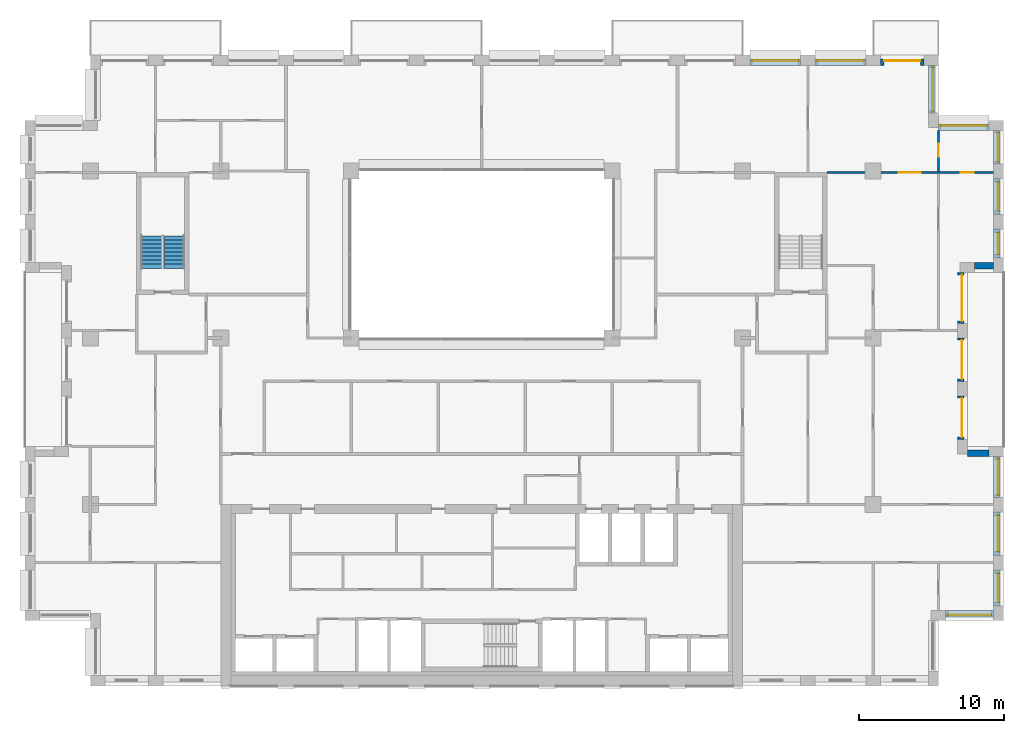
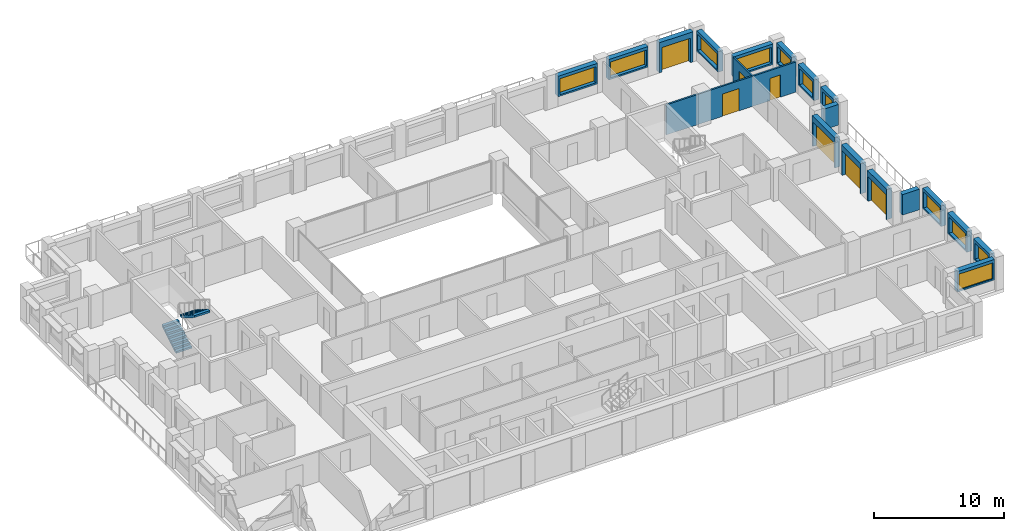
# One storey, part 14 of 16: 19 walls, 11 windows, 7 doors, 2 stair flights, 18 openings, 1 element without a shape of its own.
"""IFC4 building model written with IfcOpenShell, lengths in metres."""

from ifc_helpers import new_model, si_unit, direction, frame, frame_2d, origin, place, context, subcontext, project, spatial, polyline, rectangle, outline, extrude, material, layer, layer_set, type_object, element, fill, aggregate, save


model = new_model("IFC4")

# Units and contexts
model_context = context("Model", 3, precision=1e-05, world=origin(), true_north=direction((0.0, 1.0)))
body_context = subcontext(model_context, "Body", "Model", "MODEL_VIEW")
ifc_project = project(units=[si_unit("LENGTHUNIT", "METRE"), si_unit("AREAUNIT", "SQUARE_METRE"), si_unit("VOLUMEUNIT", "CUBIC_METRE"), si_unit("PLANEANGLEUNIT", "RADIAN"), si_unit("MASSUNIT", "GRAM", prefix="KILO")], contexts=[model_context])

# Site, building, storey
site_placement = place(None, origin())
site = spatial("IfcSite", under=ifc_project, at=site_placement, CompositionType="ELEMENT")
building_placement = place(site_placement, origin())
building = spatial("IfcBuilding", under=site, at=building_placement, Name="Brigalow Station Residences", CompositionType="ELEMENT")
storey_placement = place(building_placement, frame((0.0, 0.0, 163.35009765625)))
storey = spatial("IfcBuildingStorey", under=building, at=storey_placement, Name="L47", CompositionType="ELEMENT", Elevation=163.35009765625)

# Wall, opening, window
ifc_material_1 = material(Name="Clay brick masonry", Category="masonry")
ifc_layer_1 = layer(ifc_material_1, 0.449951171875)
ifc_layer_set_1 = layer_set([ifc_layer_1], Name="BRICK INFILL WALL 450")
wall_type_1 = type_object("IfcWallType", Name="BRICK INFILL WALL 450", PredefinedType="SOLIDWALL", material=ifc_layer_set_1)
wall_1_placement = place(storey_placement, frame((68.0, 4.97509765625, 0.89990234375), z_axis=(0.0, 0.0, 1.0), x_axis=(1.0, 0.0, 0.0)))
wall_1 = element("IfcWall", 1, at=wall_1_placement, inside=storey, type_object=wall_type_1, Name="L47/ewall/W-L47-8", PredefinedType="SOLIDWALL", context=body_context, shape_type="SweptSolid", body=[
    extrude(rectangle(XDim=3.300048828125, YDim=0.449951171875, at=frame_2d((1.64990234375, 0.0))), origin(), (0.0, 0.0, 1.0), 1.929931640625),
])
opening_1_placement = place(wall_1_placement, frame((0.14990234375, 0.0, 0.14990234375)))
opening_1 = element("IfcOpeningElement", 2, at=opening_1_placement, cuts=wall_1, Name="Opening WT-2", PredefinedType="OPENING", context=body_context, shape_type="SweptSolid", body=[
    extrude(rectangle(XDim=3.0, YDim=1.5, at=frame_2d((1.5, 0.75))), frame((0.0, 0.23486328125, 0.0), z_axis=(0.0, -1.0, 0.0), x_axis=(1.0, 0.0, 0.0)), (0.0, 0.0, 1.0), 0.469970703125),
])
ifc_material_2 = material(Name="Anodised aluminium frame with double glazing", Category="aluminium")
window_type_1 = type_object("IfcWindowType", Name="WINDOW 3000x1500", PartitioningType="SINGLE_PANEL", PredefinedType="WINDOW", material=ifc_material_2)
window_1_placement = place(opening_1_placement, origin())
window_1 = element("IfcWindow", 3, at=window_1_placement, inside=storey, type_object=window_type_1, Name="L47/window/W-L47-8", OverallHeight=1.5, OverallWidth=3.0, PartitioningType="SINGLE_PANEL", PredefinedType="WINDOW", context=body_context, shape_type="SweptSolid", body=[
    extrude(rectangle(XDim=3.0, YDim=1.5, at=frame_2d((1.5, 0.75))), frame((0.0, -0.06494140625, 0.0), z_axis=(0.0, -1.0, 0.0), x_axis=(1.0, 0.0, 0.0)), (0.0, 0.0, 1.0), 0.06005859375),
])
fill(opening_1, window_1)

wall_2_placement = place(storey_placement, frame((71.52490234375, 5.5, 0.89990234375), z_axis=(0.0, 0.0, 1.0), x_axis=(0.0, 1.0, 0.0)))
wall_2 = element("IfcWall", 4, at=wall_2_placement, inside=storey, type_object=wall_type_1, Name="L47/ewall/W-L47-9", PredefinedType="SOLIDWALL", context=body_context, shape_type="SweptSolid", body=[
    extrude(rectangle(XDim=2.5, YDim=0.449951171875, at=frame_2d((1.25, 0.0))), origin(), (0.0, 0.0, 1.0), 1.929931640625),
])
opening_2_placement = place(wall_2_placement, frame((0.25, 0.0, 0.14990234375)))
opening_2 = element("IfcOpeningElement", 5, at=opening_2_placement, cuts=wall_2, Name="Opening WT-7", PredefinedType="OPENING", context=body_context, shape_type="SweptSolid", body=[
    extrude(rectangle(XDim=2.0, YDim=1.5, at=frame_2d((1.0, 0.75))), frame((0.0, 0.23486328125, 0.0), z_axis=(0.0, -1.0, 0.0), x_axis=(1.0, 0.0, 0.0)), (0.0, 0.0, 1.0), 0.469970703125),
])
ifc_material_3 = material(Name="Anodised aluminium frame with double glazing", Category="aluminium")
window_type_2 = type_object("IfcWindowType", Name="WINDOW 2000x1500", PartitioningType="SINGLE_PANEL", PredefinedType="WINDOW", material=ifc_material_3)
window_2_placement = place(opening_2_placement, origin())
window_2 = element("IfcWindow", 6, at=window_2_placement, inside=storey, type_object=window_type_2, Name="L47/window/W-L47-9", OverallHeight=1.5, OverallWidth=2.0, PartitioningType="SINGLE_PANEL", PredefinedType="WINDOW", context=body_context, shape_type="SweptSolid", body=[
    extrude(rectangle(XDim=2.0, YDim=1.5, at=frame_2d((1.0, 0.75))), frame((0.0, -0.06494140625, 0.0), z_axis=(0.0, -1.0, 0.0), x_axis=(1.0, 0.0, 0.0)), (0.0, 0.0, 1.0), 0.06005859375),
])
fill(opening_2, window_2)

wall_3_placement = place(storey_placement, frame((71.52490234375, 9.0, 0.89990234375), z_axis=(0.0, 0.0, 1.0), x_axis=(0.0, 1.0, 0.0)))
wall_3 = element("IfcWall", 7, at=wall_3_placement, inside=storey, type_object=wall_type_1, Name="L47/ewall/W-L47-10", PredefinedType="SOLIDWALL", context=body_context, shape_type="SweptSolid", body=[
    extrude(rectangle(XDim=3.0, YDim=0.449951171875, at=frame_2d((1.5, 0.0))), origin(), (0.0, 0.0, 1.0), 1.929931640625),
])
opening_3_placement = place(wall_3_placement, frame((0.25, 0.0, 0.14990234375)))
opening_3 = element("IfcOpeningElement", 8, at=opening_3_placement, cuts=wall_3, Name="Opening WT-5", PredefinedType="OPENING", context=body_context, shape_type="SweptSolid", body=[
    extrude(rectangle(XDim=2.5, YDim=1.5, at=frame_2d((1.25, 0.75))), frame((0.0, 0.23486328125, 0.0), z_axis=(0.0, -1.0, 0.0), x_axis=(1.0, 0.0, 0.0)), (0.0, 0.0, 1.0), 0.469970703125),
])
ifc_material_4 = material(Name="Anodised aluminium frame with double glazing", Category="aluminium")
window_type_3 = type_object("IfcWindowType", Name="WINDOW 2500x1500", PartitioningType="SINGLE_PANEL", PredefinedType="WINDOW", material=ifc_material_4)
window_3_placement = place(opening_3_placement, origin())
window_3 = element("IfcWindow", 9, at=window_3_placement, inside=storey, type_object=window_type_3, Name="L47/window/W-L47-10", OverallHeight=1.5, OverallWidth=2.5, PartitioningType="SINGLE_PANEL", PredefinedType="WINDOW", context=body_context, shape_type="SweptSolid", body=[
    extrude(rectangle(XDim=2.5, YDim=1.5, at=frame_2d((1.25, 0.75))), frame((0.0, -0.06494140625, 0.0), z_axis=(0.0, -1.0, 0.0), x_axis=(1.0, 0.0, 0.0)), (0.0, 0.0, 1.0), 0.06005859375),
])
fill(opening_3, window_3)

wall_4_placement = place(storey_placement, frame((71.52490234375, 13.0, 0.89990234375), z_axis=(0.0, 0.0, 1.0), x_axis=(0.0, 1.0, 0.0)))
wall_4 = element("IfcWall", 10, at=wall_4_placement, inside=storey, type_object=wall_type_1, Name="L47/ewall/W-L47-11", PredefinedType="SOLIDWALL", context=body_context, shape_type="SweptSolid", body=[
    extrude(rectangle(XDim=2.800048828125, YDim=0.449951171875, at=frame_2d((1.39990234375, 0.0))), origin(), (0.0, 0.0, 1.0), 1.929931640625),
])
opening_4_placement = place(wall_4_placement, frame((0.14990234375, 0.0, 0.14990234375)))
opening_4 = element("IfcOpeningElement", 11, at=opening_4_placement, cuts=wall_4, Name="Opening WT-5", PredefinedType="OPENING", context=body_context, shape_type="SweptSolid", body=[
    extrude(rectangle(XDim=2.5, YDim=1.5, at=frame_2d((1.25, 0.75))), frame((0.0, 0.23486328125, 0.0), z_axis=(0.0, -1.0, 0.0), x_axis=(1.0, 0.0, 0.0)), (0.0, 0.0, 1.0), 0.469970703125),
])
window_4_placement = place(opening_4_placement, origin())
window_4 = element("IfcWindow", 12, at=window_4_placement, inside=storey, type_object=window_type_3, Name="L47/window/W-L47-11", OverallHeight=1.5, OverallWidth=2.5, PartitioningType="SINGLE_PANEL", PredefinedType="WINDOW", context=body_context, shape_type="SweptSolid", body=[
    extrude(rectangle(XDim=2.5, YDim=1.5, at=frame_2d((1.25, 0.75))), frame((0.0, -0.06494140625, 0.0), z_axis=(0.0, -1.0, 0.0), x_axis=(1.0, 0.0, 0.0)), (0.0, 0.0, 1.0), 0.06005859375),
])
fill(opening_4, window_4)

# Wall
wall_5_placement = place(storey_placement, frame((71.0, 16.02490234375, 0.89990234375), z_axis=(0.0, 0.0, 1.0), x_axis=(-1.0, 0.0, 0.0)))
element("IfcWall", 13, at=wall_5_placement, inside=storey, type_object=wall_type_1, Name="L47/ewall/W-L47-12", PredefinedType="SOLIDWALL", context=body_context, shape_type="SweptSolid", body=[
    extrude(rectangle(XDim=1.5, YDim=0.449951171875, at=frame_2d((0.75, 0.0))), origin(), (0.0, 0.0, 1.0), 1.929931640625),
])

# Wall, opening, door
wall_6_placement = place(storey_placement, frame((69.02490234375, 17.0, 0.0), z_axis=(0.0, 0.0, 1.0), x_axis=(0.0, 1.0, 0.0)))
wall_6 = element("IfcWall", 14, at=wall_6_placement, inside=storey, type_object=wall_type_1, Name="L47/ewall/W-L47-13", PredefinedType="SOLIDWALL", context=body_context, shape_type="SweptSolid", body=[
    extrude(rectangle(XDim=3.0, YDim=0.449951171875, at=frame_2d((1.5, 0.0))), origin(), (0.0, 0.0, 1.0), 2.829833984375),
])
opening_5_placement = place(wall_6_placement, frame((0.14990234375, 0.0, 0.0)))
opening_5 = element("IfcOpeningElement", 15, at=opening_5_placement, cuts=wall_6, Name="Opening D-B2700", PredefinedType="OPENING", context=body_context, shape_type="SweptSolid", body=[
    extrude(rectangle(XDim=2.699951171875, YDim=2.300048828125, at=frame_2d((1.35009765625, 1.14990234375))), frame((0.0, 0.23486328125, 0.0), z_axis=(0.0, -1.0, 0.0), x_axis=(1.0, 0.0, 0.0)), (0.0, 0.0, 1.0), 0.469970703125),
])
ifc_material_5 = material(Name="Anodised aluminium frame with double glazing", Category="aluminium")
door_type_1 = type_object("IfcDoorType", Name="BALCONY SLIDING DOOR 2700x2300", OperationType="SLIDING_TO_LEFT", PredefinedType="DOOR", material=ifc_material_5)
door_1_placement = place(opening_5_placement, origin())
door_1 = element("IfcDoor", 16, at=door_1_placement, inside=storey, type_object=door_type_1, Name="L47/balcony-door/W-L47-13", OperationType="SLIDING_TO_LEFT", OverallHeight=2.300048828125, OverallWidth=2.699951171875, PredefinedType="DOOR", context=body_context, shape_type="SweptSolid", body=[
    extrude(rectangle(XDim=2.699951171875, YDim=2.300048828125, at=frame_2d((1.35009765625, 1.14990234375))), frame((0.0, -0.06982421875, 0.0), z_axis=(0.0, -1.0, 0.0), x_axis=(1.0, 0.0, 0.0)), (0.0, 0.0, 1.0), 0.050048828125),
])
fill(opening_5, door_1)

wall_7_placement = place(storey_placement, frame((69.02490234375, 21.0, 0.0), z_axis=(0.0, 0.0, 1.0), x_axis=(0.0, 1.0, 0.0)))
wall_7 = element("IfcWall", 17, at=wall_7_placement, inside=storey, type_object=wall_type_1, Name="L47/ewall/W-L47-14", PredefinedType="SOLIDWALL", context=body_context, shape_type="SweptSolid", body=[
    extrude(rectangle(XDim=3.0, YDim=0.449951171875, at=frame_2d((1.5, 0.0))), origin(), (0.0, 0.0, 1.0), 2.829833984375),
])
opening_6_placement = place(wall_7_placement, frame((0.14990234375, 0.0, 0.0)))
opening_6 = element("IfcOpeningElement", 18, at=opening_6_placement, cuts=wall_7, Name="Opening D-B2700", PredefinedType="OPENING", context=body_context, shape_type="SweptSolid", body=[
    extrude(rectangle(XDim=2.699951171875, YDim=2.300048828125, at=frame_2d((1.35009765625, 1.14990234375))), frame((0.0, 0.23486328125, 0.0), z_axis=(0.0, -1.0, 0.0), x_axis=(1.0, 0.0, 0.0)), (0.0, 0.0, 1.0), 0.469970703125),
])
door_2_placement = place(opening_6_placement, origin())
door_2 = element("IfcDoor", 19, at=door_2_placement, inside=storey, type_object=door_type_1, Name="L47/balcony-door/W-L47-14", OperationType="SLIDING_TO_LEFT", OverallHeight=2.300048828125, OverallWidth=2.699951171875, PredefinedType="DOOR", context=body_context, shape_type="SweptSolid", body=[
    extrude(rectangle(XDim=2.699951171875, YDim=2.300048828125, at=frame_2d((1.35009765625, 1.14990234375))), frame((0.0, -0.06982421875, 0.0), z_axis=(0.0, -1.0, 0.0), x_axis=(1.0, 0.0, 0.0)), (0.0, 0.0, 1.0), 0.050048828125),
])
fill(opening_6, door_2)

wall_8_placement = place(storey_placement, frame((69.02490234375, 25.0, 0.0), z_axis=(0.0, 0.0, 1.0), x_axis=(0.0, 1.0, 0.0)))
wall_8 = element("IfcWall", 20, at=wall_8_placement, inside=storey, type_object=wall_type_1, Name="L47/ewall/W-L47-15", PredefinedType="SOLIDWALL", context=body_context, shape_type="SweptSolid", body=[
    extrude(rectangle(XDim=3.5, YDim=0.449951171875, at=frame_2d((1.75, 0.0))), origin(), (0.0, 0.0, 1.0), 2.829833984375),
])
opening_7_placement = place(wall_8_placement, frame((0.14990234375, 0.0, 0.0)))
opening_7 = element("IfcOpeningElement", 21, at=opening_7_placement, cuts=wall_8, Name="Opening D-B3200", PredefinedType="OPENING", context=body_context, shape_type="SweptSolid", body=[
    extrude(rectangle(XDim=3.199951171875, YDim=2.300048828125, at=frame_2d((1.60009765625, 1.14990234375))), frame((0.0, 0.23486328125, 0.0), z_axis=(0.0, -1.0, 0.0), x_axis=(1.0, 0.0, 0.0)), (0.0, 0.0, 1.0), 0.469970703125),
])
ifc_material_6 = material(Name="Anodised aluminium frame with double glazing", Category="aluminium")
door_type_2 = type_object("IfcDoorType", Name="BALCONY SLIDING DOOR 3200x2300", OperationType="SLIDING_TO_LEFT", PredefinedType="DOOR", material=ifc_material_6)
door_3_placement = place(opening_7_placement, origin())
door_3 = element("IfcDoor", 22, at=door_3_placement, inside=storey, type_object=door_type_2, Name="L47/balcony-door/W-L47-15", OperationType="SLIDING_TO_LEFT", OverallHeight=2.300048828125, OverallWidth=3.199951171875, PredefinedType="DOOR", context=body_context, shape_type="SweptSolid", body=[
    extrude(rectangle(XDim=3.199951171875, YDim=2.300048828125, at=frame_2d((1.60009765625, 1.14990234375))), frame((0.0, -0.06982421875, 0.0), z_axis=(0.0, -1.0, 0.0), x_axis=(1.0, 0.0, 0.0)), (0.0, 0.0, 1.0), 0.050048828125),
])
fill(opening_7, door_3)

# Wall
wall_9_placement = place(storey_placement, frame((70.0, 28.97509765625, 0.89990234375), z_axis=(0.0, 0.0, 1.0), x_axis=(1.0, 0.0, 0.0)))
element("IfcWall", 23, at=wall_9_placement, inside=storey, type_object=wall_type_1, Name="L47/ewall/W-L47-16", PredefinedType="SOLIDWALL", context=body_context, shape_type="SweptSolid", body=[
    extrude(rectangle(XDim=1.300048828125, YDim=0.449951171875, at=frame_2d((0.64990234375, 0.0))), origin(), (0.0, 0.0, 1.0), 1.929931640625),
])

# Wall, opening, window
wall_10_placement = place(storey_placement, frame((71.52490234375, 29.5, 0.89990234375), z_axis=(0.0, 0.0, 1.0), x_axis=(0.0, 1.0, 0.0)))
wall_10 = element("IfcWall", 24, at=wall_10_placement, inside=storey, type_object=wall_type_1, Name="L47/ewall/W-L47-17", PredefinedType="SOLIDWALL", context=body_context, shape_type="SweptSolid", body=[
    extrude(rectangle(XDim=2.0, YDim=0.449951171875, at=frame_2d((1.0, 0.0))), origin(), (0.0, 0.0, 1.0), 1.929931640625),
])
opening_8_placement = place(wall_10_placement, frame((0.25, 0.0, 0.14990234375)))
opening_8 = element("IfcOpeningElement", 25, at=opening_8_placement, cuts=wall_10, Name="Opening WT-1", PredefinedType="OPENING", context=body_context, shape_type="SweptSolid", body=[
    extrude(rectangle(XDim=1.5, YDim=1.5, at=frame_2d((0.75, 0.75))), frame((0.0, 0.23486328125, 0.0), z_axis=(0.0, -1.0, 0.0), x_axis=(1.0, 0.0, 0.0)), (0.0, 0.0, 1.0), 0.469970703125),
])
ifc_material_7 = material(Name="Anodised aluminium frame with double glazing", Category="aluminium")
window_type_4 = type_object("IfcWindowType", Name="WINDOW 1500x1500", PartitioningType="SINGLE_PANEL", PredefinedType="WINDOW", material=ifc_material_7)
window_5_placement = place(opening_8_placement, origin())
window_5 = element("IfcWindow", 26, at=window_5_placement, inside=storey, type_object=window_type_4, Name="L47/window/W-L47-17", OverallHeight=1.5, OverallWidth=1.5, PartitioningType="SINGLE_PANEL", PredefinedType="WINDOW", context=body_context, shape_type="SweptSolid", body=[
    extrude(rectangle(XDim=1.5, YDim=1.5, at=frame_2d((0.75, 0.75))), frame((0.0, -0.06494140625, 0.0), z_axis=(0.0, -1.0, 0.0), x_axis=(1.0, 0.0, 0.0)), (0.0, 0.0, 1.0), 0.06005859375),
])
fill(opening_8, window_5)

wall_11_placement = place(storey_placement, frame((71.52490234375, 32.5, 0.89990234375), z_axis=(0.0, 0.0, 1.0), x_axis=(0.0, 1.0, 0.0)))
wall_11 = element("IfcWall", 27, at=wall_11_placement, inside=storey, type_object=wall_type_1, Name="L47/ewall/W-L47-18", PredefinedType="SOLIDWALL", context=body_context, shape_type="SweptSolid", body=[
    extrude(rectangle(XDim=2.5, YDim=0.449951171875, at=frame_2d((1.25, 0.0))), origin(), (0.0, 0.0, 1.0), 1.929931640625),
])
opening_9_placement = place(wall_11_placement, frame((0.25, 0.0, 0.14990234375)))
opening_9 = element("IfcOpeningElement", 28, at=opening_9_placement, cuts=wall_11, Name="Opening WT-7", PredefinedType="OPENING", context=body_context, shape_type="SweptSolid", body=[
    extrude(rectangle(XDim=2.0, YDim=1.5, at=frame_2d((1.0, 0.75))), frame((0.0, 0.23486328125, 0.0), z_axis=(0.0, -1.0, 0.0), x_axis=(1.0, 0.0, 0.0)), (0.0, 0.0, 1.0), 0.469970703125),
])
window_6_placement = place(opening_9_placement, origin())
window_6 = element("IfcWindow", 29, at=window_6_placement, inside=storey, type_object=window_type_2, Name="L47/window/W-L47-18", OverallHeight=1.5, OverallWidth=2.0, PartitioningType="SINGLE_PANEL", PredefinedType="WINDOW", context=body_context, shape_type="SweptSolid", body=[
    extrude(rectangle(XDim=2.0, YDim=1.5, at=frame_2d((1.0, 0.75))), frame((0.0, -0.06494140625, 0.0), z_axis=(0.0, -1.0, 0.0), x_axis=(1.0, 0.0, 0.0)), (0.0, 0.0, 1.0), 0.06005859375),
])
fill(opening_9, window_6)

wall_12_placement = place(storey_placement, frame((71.52490234375, 36.0, 0.89990234375), z_axis=(0.0, 0.0, 1.0), x_axis=(0.0, 1.0, 0.0)))
wall_12 = element("IfcWall", 30, at=wall_12_placement, inside=storey, type_object=wall_type_1, Name="L47/ewall/W-L47-19", PredefinedType="SOLIDWALL", context=body_context, shape_type="SweptSolid", body=[
    extrude(rectangle(XDim=2.300048828125, YDim=0.449951171875, at=frame_2d((1.14990234375, 0.0))), origin(), (0.0, 0.0, 1.0), 1.929931640625),
])
opening_10_placement = place(wall_12_placement, frame((0.14990234375, 0.0, 0.14990234375)))
opening_10 = element("IfcOpeningElement", 31, at=opening_10_placement, cuts=wall_12, Name="Opening WT-7", PredefinedType="OPENING", context=body_context, shape_type="SweptSolid", body=[
    extrude(rectangle(XDim=2.0, YDim=1.5, at=frame_2d((1.0, 0.75))), frame((0.0, 0.23486328125, 0.0), z_axis=(0.0, -1.0, 0.0), x_axis=(1.0, 0.0, 0.0)), (0.0, 0.0, 1.0), 0.469970703125),
])
window_7_placement = place(opening_10_placement, origin())
window_7 = element("IfcWindow", 32, at=window_7_placement, inside=storey, type_object=window_type_2, Name="L47/window/W-L47-19", OverallHeight=1.5, OverallWidth=2.0, PartitioningType="SINGLE_PANEL", PredefinedType="WINDOW", context=body_context, shape_type="SweptSolid", body=[
    extrude(rectangle(XDim=2.0, YDim=1.5, at=frame_2d((1.0, 0.75))), frame((0.0, -0.06494140625, 0.0), z_axis=(0.0, -1.0, 0.0), x_axis=(1.0, 0.0, 0.0)), (0.0, 0.0, 1.0), 0.06005859375),
])
fill(opening_10, window_7)

wall_13_placement = place(storey_placement, frame((71.0, 38.52490234375, 0.89990234375), z_axis=(0.0, 0.0, 1.0), x_axis=(-1.0, 0.0, 0.0)))
wall_13 = element("IfcWall", 33, at=wall_13_placement, inside=storey, type_object=wall_type_1, Name="L47/ewall/W-L47-20", PredefinedType="SOLIDWALL", context=body_context, shape_type="SweptSolid", body=[
    extrude(rectangle(XDim=3.5, YDim=0.449951171875, at=frame_2d((1.75, 0.0))), origin(), (0.0, 0.0, 1.0), 1.929931640625),
])
opening_11_placement = place(wall_13_placement, frame((0.14990234375, 0.0, 0.14990234375)))
opening_11 = element("IfcOpeningElement", 34, at=opening_11_placement, cuts=wall_13, Name="Opening WT-9", PredefinedType="OPENING", context=body_context, shape_type="SweptSolid", body=[
    extrude(rectangle(XDim=3.199951171875, YDim=1.5, at=frame_2d((1.60009765625, 0.75))), frame((0.0, 0.23486328125, 0.0), z_axis=(0.0, -1.0, 0.0), x_axis=(1.0, 0.0, 0.0)), (0.0, 0.0, 1.0), 0.469970703125),
])
ifc_material_8 = material(Name="Anodised aluminium frame with double glazing", Category="aluminium")
window_type_5 = type_object("IfcWindowType", Name="WINDOW 3200x1500", PartitioningType="SINGLE_PANEL", PredefinedType="WINDOW", material=ifc_material_8)
window_8_placement = place(opening_11_placement, origin())
window_8 = element("IfcWindow", 35, at=window_8_placement, inside=storey, type_object=window_type_5, Name="L47/window/W-L47-20", OverallHeight=1.5, OverallWidth=3.199951171875, PartitioningType="SINGLE_PANEL", PredefinedType="WINDOW", context=body_context, shape_type="SweptSolid", body=[
    extrude(rectangle(XDim=3.199951171875, YDim=1.5, at=frame_2d((1.60009765625, 0.75))), frame((0.0, -0.06494140625, 0.0), z_axis=(0.0, -1.0, 0.0), x_axis=(1.0, 0.0, 0.0)), (0.0, 0.0, 1.0), 0.06005859375),
])
fill(opening_11, window_8)

wall_14_placement = place(storey_placement, frame((67.02490234375, 39.5, 0.89990234375), z_axis=(0.0, 0.0, 1.0), x_axis=(0.0, 1.0, 0.0)))
wall_14 = element("IfcWall", 36, at=wall_14_placement, inside=storey, type_object=wall_type_1, Name="L47/ewall/W-L47-21", PredefinedType="SOLIDWALL", context=body_context, shape_type="SweptSolid", body=[
    extrude(rectangle(XDim=3.300048828125, YDim=0.449951171875, at=frame_2d((1.64990234375, 0.0))), origin(), (0.0, 0.0, 1.0), 1.929931640625),
])
opening_12_placement = place(wall_14_placement, frame((0.14990234375, 0.0, 0.14990234375)))
opening_12 = element("IfcOpeningElement", 37, at=opening_12_placement, cuts=wall_14, Name="Opening WT-2", PredefinedType="OPENING", context=body_context, shape_type="SweptSolid", body=[
    extrude(rectangle(XDim=3.0, YDim=1.5, at=frame_2d((1.5, 0.75))), frame((0.0, 0.23486328125, 0.0), z_axis=(0.0, -1.0, 0.0), x_axis=(1.0, 0.0, 0.0)), (0.0, 0.0, 1.0), 0.469970703125),
])
window_9_placement = place(opening_12_placement, origin())
window_9 = element("IfcWindow", 38, at=window_9_placement, inside=storey, type_object=window_type_1, Name="L47/window/W-L47-21", OverallHeight=1.5, OverallWidth=3.0, PartitioningType="SINGLE_PANEL", PredefinedType="WINDOW", context=body_context, shape_type="SweptSolid", body=[
    extrude(rectangle(XDim=3.0, YDim=1.5, at=frame_2d((1.5, 0.75))), frame((0.0, -0.06494140625, 0.0), z_axis=(0.0, -1.0, 0.0), x_axis=(1.0, 0.0, 0.0)), (0.0, 0.0, 1.0), 0.06005859375),
])
fill(opening_12, window_9)

# Wall, opening, door
wall_15_placement = place(storey_placement, frame((66.5, 43.02490234375, 0.0), z_axis=(0.0, 0.0, 1.0), x_axis=(-1.0, 0.0, 0.0)))
wall_15 = element("IfcWall", 39, at=wall_15_placement, inside=storey, type_object=wall_type_1, Name="L47/ewall/W-L47-22", PredefinedType="SOLIDWALL", context=body_context, shape_type="SweptSolid", body=[
    extrude(rectangle(XDim=3.0, YDim=0.449951171875, at=frame_2d((1.5, 0.0))), origin(), (0.0, 0.0, 1.0), 2.829833984375),
])
opening_13_placement = place(wall_15_placement, frame((0.25, 0.0, 0.0)))
opening_13 = element("IfcOpeningElement", 40, at=opening_13_placement, cuts=wall_15, Name="Opening D-B2500", PredefinedType="OPENING", context=body_context, shape_type="SweptSolid", body=[
    extrude(rectangle(XDim=2.5, YDim=2.300048828125, at=frame_2d((1.25, 1.14990234375))), frame((0.0, 0.23486328125, 0.0), z_axis=(0.0, -1.0, 0.0), x_axis=(1.0, 0.0, 0.0)), (0.0, 0.0, 1.0), 0.469970703125),
])
ifc_material_9 = material(Name="Anodised aluminium frame with double glazing", Category="aluminium")
door_type_3 = type_object("IfcDoorType", Name="BALCONY SLIDING DOOR 2500x2300", OperationType="SLIDING_TO_LEFT", PredefinedType="DOOR", material=ifc_material_9)
door_4_placement = place(opening_13_placement, origin())
door_4 = element("IfcDoor", 41, at=door_4_placement, inside=storey, type_object=door_type_3, Name="L47/balcony-door/W-L47-22", OperationType="SLIDING_TO_LEFT", OverallHeight=2.300048828125, OverallWidth=2.5, PredefinedType="DOOR", context=body_context, shape_type="SweptSolid", body=[
    extrude(rectangle(XDim=2.5, YDim=2.300048828125, at=frame_2d((1.25, 1.14990234375))), frame((0.0, -0.06982421875, 0.0), z_axis=(0.0, -1.0, 0.0), x_axis=(1.0, 0.0, 0.0)), (0.0, 0.0, 1.0), 0.050048828125),
])
fill(opening_13, door_4)

# Wall, opening, window
wall_16_placement = place(storey_placement, frame((62.5, 43.02490234375, 0.89990234375), z_axis=(0.0, 0.0, 1.0), x_axis=(-1.0, 0.0, 0.0)))
wall_16 = element("IfcWall", 42, at=wall_16_placement, inside=storey, type_object=wall_type_1, Name="L47/ewall/W-L47-23", PredefinedType="SOLIDWALL", context=body_context, shape_type="SweptSolid", body=[
    extrude(rectangle(XDim=3.5, YDim=0.449951171875, at=frame_2d((1.75, 0.0))), origin(), (0.0, 0.0, 1.0), 1.929931640625),
])
opening_14_placement = place(wall_16_placement, frame((0.14990234375, 0.0, 0.14990234375)))
opening_14 = element("IfcOpeningElement", 43, at=opening_14_placement, cuts=wall_16, Name="Opening WT-9", PredefinedType="OPENING", context=body_context, shape_type="SweptSolid", body=[
    extrude(rectangle(XDim=3.199951171875, YDim=1.5, at=frame_2d((1.60009765625, 0.75))), frame((0.0, 0.23486328125, 0.0), z_axis=(0.0, -1.0, 0.0), x_axis=(1.0, 0.0, 0.0)), (0.0, 0.0, 1.0), 0.469970703125),
])
window_10_placement = place(opening_14_placement, origin())
window_10 = element("IfcWindow", 44, at=window_10_placement, inside=storey, type_object=window_type_5, Name="L47/window/W-L47-23", OverallHeight=1.5, OverallWidth=3.199951171875, PartitioningType="SINGLE_PANEL", PredefinedType="WINDOW", context=body_context, shape_type="SweptSolid", body=[
    extrude(rectangle(XDim=3.199951171875, YDim=1.5, at=frame_2d((1.60009765625, 0.75))), frame((0.0, -0.06494140625, 0.0), z_axis=(0.0, -1.0, 0.0), x_axis=(1.0, 0.0, 0.0)), (0.0, 0.0, 1.0), 0.06005859375),
])
fill(opening_14, window_10)

wall_17_placement = place(storey_placement, frame((58.0, 43.02490234375, 0.89990234375), z_axis=(0.0, 0.0, 1.0), x_axis=(-1.0, 0.0, 0.0)))
wall_17 = element("IfcWall", 45, at=wall_17_placement, inside=storey, type_object=wall_type_1, Name="L47/ewall/W-L47-24", PredefinedType="SOLIDWALL", context=body_context, shape_type="SweptSolid", body=[
    extrude(rectangle(XDim=3.5, YDim=0.449951171875, at=frame_2d((1.75, 0.0))), origin(), (0.0, 0.0, 1.0), 1.929931640625),
])
opening_15_placement = place(wall_17_placement, frame((0.14990234375, 0.0, 0.14990234375)))
opening_15 = element("IfcOpeningElement", 46, at=opening_15_placement, cuts=wall_17, Name="Opening WT-9", PredefinedType="OPENING", context=body_context, shape_type="SweptSolid", body=[
    extrude(rectangle(XDim=3.199951171875, YDim=1.5, at=frame_2d((1.60009765625, 0.75))), frame((0.0, 0.23486328125, 0.0), z_axis=(0.0, -1.0, 0.0), x_axis=(1.0, 0.0, 0.0)), (0.0, 0.0, 1.0), 0.469970703125),
])
window_11_placement = place(opening_15_placement, origin())
window_11 = element("IfcWindow", 47, at=window_11_placement, inside=storey, type_object=window_type_5, Name="L47/window/W-L47-24", OverallHeight=1.5, OverallWidth=3.199951171875, PartitioningType="SINGLE_PANEL", PredefinedType="WINDOW", context=body_context, shape_type="SweptSolid", body=[
    extrude(rectangle(XDim=3.199951171875, YDim=1.5, at=frame_2d((1.60009765625, 0.75))), frame((0.0, -0.06494140625, 0.0), z_axis=(0.0, -1.0, 0.0), x_axis=(1.0, 0.0, 0.0)), (0.0, 0.0, 1.0), 0.06005859375),
])
fill(opening_15, window_11)

# Wall, openings, doors
ifc_material_10 = material(Name="Plasterboard on steel stud partition", Category="steel")
ifc_layer_2 = layer(ifc_material_10, 0.14990234375)
ifc_layer_set_2 = layer_set([ifc_layer_2], Name="FLAT PARTITION 150")
wall_type_2 = type_object("IfcWallType", Name="FLAT PARTITION 150", PredefinedType="PARTITIONING", material=ifc_layer_set_2)
wall_18_placement = place(storey_placement, frame((59.800048828125, 35.39990234375, 0.0), z_axis=(0.0, 0.0, 1.0), x_axis=(1.0, 0.0, 0.0)))
wall_18 = element("IfcWall", 48, at=wall_18_placement, inside=storey, type_object=wall_type_2, Name="PW-3C19", PredefinedType="PARTITIONING", context=body_context, shape_type="SweptSolid", body=[
    extrude(rectangle(XDim=11.5, YDim=0.14990234375, at=frame_2d((5.75, 0.0))), origin(), (0.0, 0.0, 1.0), 2.829833984375),
])
opening_16_placement = place(wall_18_placement, frame((4.97509765625, 0.0, 0.0)))
opening_16 = element("IfcOpeningElement", 49, at=opening_16_placement, cuts=wall_18, Name="Opening D-3C26", PredefinedType="OPENING", context=body_context, shape_type="SweptSolid", body=[
    extrude(rectangle(XDim=1.5, YDim=2.10009765625, at=frame_2d((0.75, 1.050048828125))), frame((0.0, 0.0849609375, 0.0), z_axis=(0.0, -1.0, 0.0), x_axis=(1.0, 0.0, 0.0)), (0.0, 0.0, 1.0), 0.169921875),
])
opening_17_placement = place(wall_18_placement, frame((9.22509765625, 0.0, 0.0)))
opening_17 = element("IfcOpeningElement", 50, at=opening_17_placement, cuts=wall_18, Name="Opening D-3C30", PredefinedType="OPENING", context=body_context, shape_type="SweptSolid", body=[
    extrude(rectangle(XDim=0.89990234375, YDim=2.10009765625, at=frame_2d((0.449951171875, 1.050048828125))), frame((0.0, 0.0849609375, 0.0), z_axis=(0.0, -1.0, 0.0), x_axis=(1.0, 0.0, 0.0)), (0.0, 0.0, 1.0), 0.169921875),
])
ifc_material_11 = material(Name="Solid-core timber door leaf", Category="wood")
door_type_4 = type_object("IfcDoorType", Name="INTERNAL DOOR 900 x 2100", OperationType="SINGLE_SWING_LEFT", PredefinedType="DOOR", material=ifc_material_11)
door_5_placement = place(opening_17_placement, origin())
door_5 = element("IfcDoor", 51, at=door_5_placement, inside=storey, type_object=door_type_4, Name="D-3C30", OperationType="SINGLE_SWING_RIGHT", OverallHeight=2.10009765625, OverallWidth=0.89990234375, PredefinedType="DOOR", context=body_context, shape_type="SweptSolid", body=[
    extrude(rectangle(XDim=0.89990234375, YDim=2.10009765625, at=frame_2d((0.449951171875, 1.050048828125))), frame((0.0, 0.02490234375, 0.0), z_axis=(0.0, -1.0, 0.0), x_axis=(1.0, 0.0, 0.0)), (0.0, 0.0, 1.0), 0.050048828125),
])
fill(opening_17, door_5)
ifc_material_12 = material(Name="Solid-core timber door leaf", Category="wood")
door_type_5 = type_object("IfcDoorType", Name="INTERNAL DOUBLE DOOR 1500 x 2100", OperationType="DOUBLE_DOOR_SINGLE_SWING", PredefinedType="DOOR", material=ifc_material_12)
door_6_placement = place(opening_16_placement, origin())
door_6 = element("IfcDoor", 52, at=door_6_placement, inside=storey, type_object=door_type_5, Name="D-3C26", OperationType="DOUBLE_DOOR_SINGLE_SWING", OverallHeight=2.10009765625, OverallWidth=1.5, PredefinedType="DOOR", context=body_context, shape_type="SweptSolid", body=[
    extrude(rectangle(XDim=1.5, YDim=2.10009765625, at=frame_2d((0.75, 1.050048828125))), frame((0.0, 0.02490234375, 0.0), z_axis=(0.0, -1.0, 0.0), x_axis=(1.0, 0.0, 0.0)), (0.0, 0.0, 1.0), 0.050048828125),
])
fill(opening_16, door_6)

# Wall, opening, door
wall_19_placement = place(storey_placement, frame((67.5, 35.47509765625, 0.0), z_axis=(0.0, 0.0, 1.0), x_axis=(0.0, 1.0, 0.0)))
wall_19 = element("IfcWall", 53, at=wall_19_placement, inside=storey, type_object=wall_type_2, Name="PW-3C47", PredefinedType="PARTITIONING", context=body_context, shape_type="SweptSolid", body=[
    extrude(rectangle(XDim=2.824951171875, YDim=0.14990234375, at=frame_2d((1.41259765625, 0.0))), origin(), (0.0, 0.0, 1.0), 2.829833984375),
])
opening_18_placement = place(wall_19_placement, frame((1.0, 0.0, 0.0)))
opening_18 = element("IfcOpeningElement", 54, at=opening_18_placement, cuts=wall_19, Name="Opening D-3C29", PredefinedType="OPENING", context=body_context, shape_type="SweptSolid", body=[
    extrude(rectangle(XDim=0.89990234375, YDim=2.10009765625, at=frame_2d((0.449951171875, 1.050048828125))), frame((0.0, 0.0849609375, 0.0), z_axis=(0.0, -1.0, 0.0), x_axis=(1.0, 0.0, 0.0)), (0.0, 0.0, 1.0), 0.169921875),
])
door_7_placement = place(opening_18_placement, frame((0.89990234375, 0.0, 0.0), z_axis=(0.0, 0.0, 1.0), x_axis=(-1.0, 0.0, 0.0)))
door_7 = element("IfcDoor", 55, at=door_7_placement, inside=storey, type_object=door_type_4, Name="D-3C29", OperationType="SINGLE_SWING_LEFT", OverallHeight=2.10009765625, OverallWidth=0.89990234375, PredefinedType="DOOR", context=body_context, shape_type="SweptSolid", body=[
    extrude(rectangle(XDim=0.89990234375, YDim=2.10009765625, at=frame_2d((0.449951171875, 1.050048828125))), frame((0.0, 0.02490234375, 0.0), z_axis=(0.0, -1.0, 0.0), x_axis=(1.0, 0.0, 0.0)), (0.0, 0.0, 1.0), 0.050048828125),
])
fill(opening_18, door_7)

# Stair, stair flights
ifc_material_13 = material(Name="Concrete C50", Category="concrete")
stair_type = type_object("IfcStairType", Name="EXIT STAIR 1400 2 FLIGHT", PredefinedType="HALF_TURN_STAIR", material=ifc_material_13)
stair_placement = place(storey_placement, origin())
stair = element("IfcStair", 56, at=stair_placement, inside=storey, type_object=stair_type, Name="EXIT STAIR S1 L47", PredefinedType="HALF_TURN_STAIR")
ifc_material_14 = material(Name="Concrete C50", Category="concrete")
stair_flight_type = type_object("IfcStairFlightType", Name="STAIR FLIGHT 1400", PredefinedType="STRAIGHT", material=ifc_material_14)
stair_flight_1_placement = place(storey_placement, frame((13.199951171875, 28.800048828125, 0.0), z_axis=(0.0, 0.0, 1.0), x_axis=(0.0, 1.0, 0.0)))
stair_flight_1 = element("IfcStairFlight", 57, at=stair_flight_1_placement, type_object=stair_flight_type, Name="ST-1 flight 1", NumberOfRisers=9, NumberOfTreads=8, PredefinedType="STRAIGHT", RiserHeight=0.175, TreadLength=0.28, context=body_context, shape_type="SweptSolid", body=[
    extrude(outline(polyline([(0.0, 0.0), (0.0, 0.175048828125), (0.280029296875, 0.175048828125), (0.280029296875, 0.35009765625), (0.56005859375, 0.35009765625), (0.56005859375, 0.52490234375), (0.840087890625, 0.52490234375), (0.840087890625, 0.699951171875), (1.1201171875, 0.699951171875), (1.1201171875, 0.875), (1.39990234375, 0.875), (1.39990234375, 1.050048828125), (1.679931640625, 1.050048828125), (1.679931640625, 1.22509765625), (1.9599609375, 1.22509765625), (1.9599609375, 1.39990234375), (2.239990234375, 1.39990234375), (2.239990234375, 1.574951171875), (2.239990234375, 1.22314453125), (0.28271484375, 0.0), (0.0, 0.0)])), frame((0.0, 0.699951171875, 0.0), z_axis=(0.0, -1.0, 0.0), x_axis=(1.0, 0.0, 0.0)), (0.0, 0.0, 1.0), 1.39990234375),
])
stair_flight_2_placement = place(storey_placement, frame((14.800048828125, 31.0400390625, 1.574951171875), z_axis=(0.0, 0.0, 1.0), x_axis=(0.0, -1.0, 0.0)))
stair_flight_2 = element("IfcStairFlight", 58, at=stair_flight_2_placement, type_object=stair_flight_type, Name="ST-1 flight 2", NumberOfRisers=9, NumberOfTreads=8, PredefinedType="STRAIGHT", RiserHeight=0.175, TreadLength=0.28, context=body_context, shape_type="SweptSolid", body=[
    extrude(outline(polyline([(0.0, 0.0), (0.0, 0.175048828125), (0.280029296875, 0.175048828125), (0.280029296875, 0.35009765625), (0.56005859375, 0.35009765625), (0.56005859375, 0.52490234375), (0.840087890625, 0.52490234375), (0.840087890625, 0.699951171875), (1.1201171875, 0.699951171875), (1.1201171875, 0.875), (1.39990234375, 0.875), (1.39990234375, 1.050048828125), (1.679931640625, 1.050048828125), (1.679931640625, 1.22509765625), (1.9599609375, 1.22509765625), (1.9599609375, 1.39990234375), (2.239990234375, 1.39990234375), (2.239990234375, 1.574951171875), (2.239990234375, 1.22314453125), (0.28271484375, 0.0), (0.0, 0.0)])), frame((0.0, 0.699951171875, 0.0), z_axis=(0.0, -1.0, 0.0), x_axis=(1.0, 0.0, 0.0)), (0.0, 0.0, 1.0), 1.39990234375),
])
aggregate(stair, [stair_flight_1, stair_flight_2])

save(model, "model.ifc")
